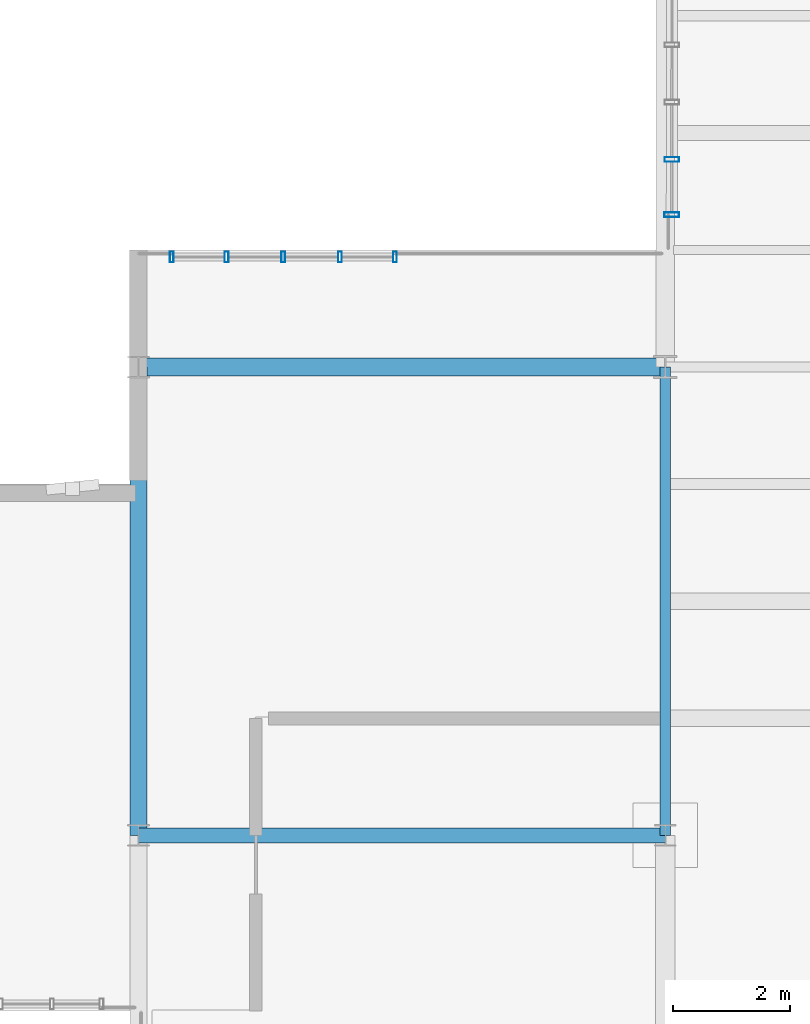
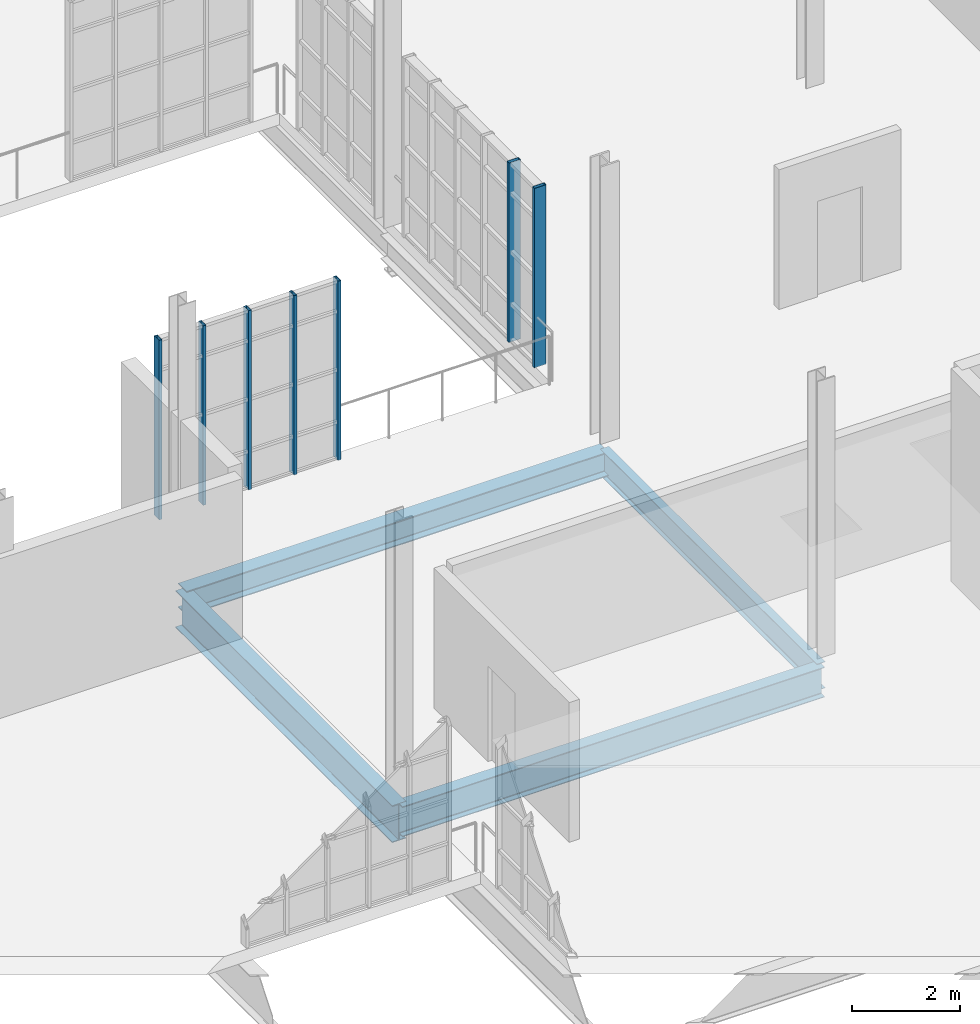
# One storey, part 35 of 118: 7 members, 4 beams, 2 elements without a shape of their own.
"""IFC4 building model written with IfcOpenShell, lengths in metres."""

from ifc_helpers import new_model, si_unit, direction, frame, origin, origin_2d, place, context, subcontext, project, spatial, hollow_rectangle, i_section, extrude, material, layer, layer_set, material_profile, profile_set, type_object, element, aggregate, save


model = new_model("IFC4")

# Units and contexts
model_context = context("Model", 3, precision=1e-05, world=origin(), true_north=direction((0.0, 1.0)))
body_context = subcontext(model_context, "Body", "Model", "MODEL_VIEW")
ifc_project = project(units=[si_unit("LENGTHUNIT", "METRE"), si_unit("AREAUNIT", "SQUARE_METRE"), si_unit("VOLUMEUNIT", "CUBIC_METRE"), si_unit("PLANEANGLEUNIT", "RADIAN"), si_unit("MASSUNIT", "GRAM", prefix="KILO"), si_unit("THERMODYNAMICTEMPERATUREUNIT", "KELVIN"), si_unit("POWERUNIT", "WATT")], contexts=[model_context])

# Site, building, storey
site_placement = place(None, origin())
site = spatial("IfcSite", under=ifc_project, at=site_placement, CompositionType="ELEMENT")
building_placement = place(site_placement, origin())
building = spatial("IfcBuilding", under=site, at=building_placement, Name="Zelmaris Science Centre", CompositionType="ELEMENT")
storey_placement = place(building_placement, frame((0.0, 0.0, 15.60009765625)))
storey = spatial("IfcBuildingStorey", under=building, at=storey_placement, Name="L03", CompositionType="ELEMENT", Elevation=15.60009765625)

# Curtain wall, members
ifc_material_1 = material(Name="Anodised architectural aluminium 6063-T6", Category="aluminium")
ifc_layer_1 = layer(ifc_material_1, 0.2099609375, Name="Anodised architectural aluminium 6063-T6")
ifc_layer_set_1 = layer_set([ifc_layer_1], Name="Anodised architectural aluminium 6063-T6")
curtain_wall_type_1 = type_object("IfcCurtainWallType", Name="Curtain Wall CW-03", PredefinedType="USERDEFINED", material=ifc_layer_set_1)
curtain_wall_1_placement = place(storey_placement, origin())
curtain_wall_1 = element("IfcCurtainWall", 1, at=curtain_wall_1_placement, inside=storey, type_object=curtain_wall_type_1, Name="L03 Unitised curtain wall 323", ObjectType="GLAZED CURTAIN WALL", PredefinedType="USERDEFINED")
ifc_material_profile_1 = material_profile(ifc_material_1, hollow_rectangle(XDim=0.06494140625, YDim=0.179931640625, WallThickness=0.00390625, at=origin_2d()), Name="ALU-MUL-65X180")
ifc_profile_set_1 = profile_set([ifc_material_profile_1], Name="Anodised architectural aluminium 6063-T6")
member_type_1 = type_object("IfcMemberType", Name="ALU-MUL-65X180", PredefinedType="MULLION", material=ifc_profile_set_1)
member_1_placement = place(storey_placement, frame((108.568603515625, 33.8798828125, -0.01513671875), z_axis=(0.0, 0.0, 1.0), x_axis=(0.999999999976, 6.981317e-06, 0.0)))
member_1 = element("IfcMember", 2, at=member_1_placement, type_object=member_type_1, Name="CW-03 mullion 1", PredefinedType="MULLION", context=body_context, shape_type="SweptSolid", body=[
    extrude(hollow_rectangle(XDim=0.06494140625, YDim=0.179931640625, WallThickness=0.00390625, at=origin_2d()), origin(), (0.0, 0.0, 1.0), 4.044921875),
])
member_2_placement = place(storey_placement, frame((109.507568359375, 33.8798828125, -0.01513671875), z_axis=(0.0, 0.0, 1.0), x_axis=(0.999999999976, 6.981317e-06, 0.0)))
member_2 = element("IfcMember", 3, at=member_2_placement, type_object=member_type_1, Name="CW-03 mullion 2", PredefinedType="MULLION", context=body_context, shape_type="SweptSolid", body=[
    extrude(hollow_rectangle(XDim=0.06494140625, YDim=0.179931640625, WallThickness=0.00390625, at=origin_2d()), origin(), (0.0, 0.0, 1.0), 4.044921875),
])
member_3_placement = place(storey_placement, frame((110.47509765625, 33.8798828125, -0.01513671875), z_axis=(0.0, 0.0, 1.0), x_axis=(0.999999999976, 6.981317e-06, 0.0)))
member_3 = element("IfcMember", 4, at=member_3_placement, type_object=member_type_1, Name="CW-03 mullion 3", PredefinedType="MULLION", context=body_context, shape_type="SweptSolid", body=[
    extrude(hollow_rectangle(XDim=0.06494140625, YDim=0.179931640625, WallThickness=0.00390625, at=origin_2d()), origin(), (0.0, 0.0, 1.0), 4.044921875),
])
member_4_placement = place(storey_placement, frame((111.442626953125, 33.8798828125, -0.01513671875), z_axis=(0.0, 0.0, 1.0), x_axis=(0.999999999976, 6.981317e-06, 0.0)))
member_4 = element("IfcMember", 5, at=member_4_placement, type_object=member_type_1, Name="CW-03 mullion 4", PredefinedType="MULLION", context=body_context, shape_type="SweptSolid", body=[
    extrude(hollow_rectangle(XDim=0.06494140625, YDim=0.179931640625, WallThickness=0.00390625, at=origin_2d()), origin(), (0.0, 0.0, 1.0), 4.044921875),
])
member_5_placement = place(storey_placement, frame((112.381591796875, 33.8798828125, -0.01513671875), z_axis=(0.0, 0.0, 1.0), x_axis=(0.999999999976, 6.981317e-06, 0.0)))
member_5 = element("IfcMember", 6, at=member_5_placement, type_object=member_type_1, Name="CW-03 mullion 5", PredefinedType="MULLION", context=body_context, shape_type="SweptSolid", body=[
    extrude(hollow_rectangle(XDim=0.06494140625, YDim=0.179931640625, WallThickness=0.00390625, at=origin_2d()), origin(), (0.0, 0.0, 1.0), 4.044921875),
])
aggregate(curtain_wall_1, [member_1, member_2, member_3, member_4, member_5])

ifc_layer_2 = layer(ifc_material_1, 0.18994140625, Name="Anodised architectural aluminium 6063-T6")
ifc_layer_set_2 = layer_set([ifc_layer_2], Name="Anodised architectural aluminium 6063-T6")
curtain_wall_type_2 = type_object("IfcCurtainWallType", Name="Curtain Wall CW-01", PredefinedType="USERDEFINED", material=ifc_layer_set_2)
curtain_wall_2_placement = place(storey_placement, origin())
curtain_wall_2 = element("IfcCurtainWall", 7, at=curtain_wall_2_placement, inside=storey, type_object=curtain_wall_type_2, Name="L03 Unitised curtain wall 325", ObjectType="GLAZED CURTAIN WALL", PredefinedType="USERDEFINED")
ifc_material_profile_2 = material_profile(ifc_material_1, hollow_rectangle(XDim=0.080078125, YDim=0.25, WallThickness=0.0048828125, at=origin_2d()), Name="ALU-MUL-80X250")
ifc_profile_set_2 = profile_set([ifc_material_profile_2], Name="Anodised architectural aluminium 6063-T6")
member_type_2 = type_object("IfcMemberType", Name="ALU-MUL-80X250", PredefinedType="MULLION", material=ifc_profile_set_2)
member_6_placement = place(storey_placement, frame((117.1103515625, 34.6025390625, -0.01513671875), z_axis=(0.0, 0.0, 1.0), x_axis=(0.001019272107, 0.999999480542, 0.0)))
member_6 = element("IfcMember", 8, at=member_6_placement, type_object=member_type_2, Name="CW-01 mullion 1", PredefinedType="MULLION", context=body_context, shape_type="SweptSolid", body=[
    extrude(hollow_rectangle(XDim=0.080078125, YDim=0.25, WallThickness=0.0048828125, at=origin_2d()), origin(), (0.0, 0.0, 1.0), 4.044921875),
])
member_7_placement = place(storey_placement, frame((117.111328125, 35.545166015625, -0.01513671875), z_axis=(0.0, 0.0, 1.0), x_axis=(0.001019272107, 0.999999480542, 0.0)))
member_7 = element("IfcMember", 9, at=member_7_placement, type_object=member_type_2, Name="CW-01 mullion 2", PredefinedType="MULLION", context=body_context, shape_type="SweptSolid", body=[
    extrude(hollow_rectangle(XDim=0.080078125, YDim=0.25, WallThickness=0.0048828125, at=origin_2d()), origin(), (0.0, 0.0, 1.0), 4.044921875),
])
aggregate(curtain_wall_2, [member_6, member_7])

# Beams
ifc_material_2 = material(Name="Steel ASTM A992 Grade 50", Category="steel")
ifc_material_profile_3 = material_profile(ifc_material_2, i_section(OverallWidth=0.2919921875, OverallDepth=0.8359375, WebThickness=0.013916015625, FlangeThickness=0.018798828125, FilletRadius=0.02001953125, at=origin_2d()), Name="W33X118")
ifc_profile_set_3 = profile_set([ifc_material_profile_3], Name="Steel ASTM A992 Grade 50")
beam_type_1 = type_object("IfcBeamType", Name="Beam G-30 W33X118", PredefinedType="BEAM", material=ifc_profile_set_3)
beam_1_placement = place(storey_placement, frame((108.0, 24.0, -0.697998046875), z_axis=(0.0, 1.0, 0.0), x_axis=(-1.0, 0.0, 0.0)))
element("IfcBeam", 10, at=beam_1_placement, inside=storey, type_object=beam_type_1, Name="L03 North-south girder 701", PredefinedType="BEAM", context=body_context, shape_type="SweptSolid", body=[
    extrude(i_section(OverallWidth=0.2919921875, OverallDepth=0.8359375, WebThickness=0.013916015625, FlangeThickness=0.018798828125, FilletRadius=0.02001953125, at=origin_2d()), origin(), (0.0, 0.0, 1.0), 8.0),
])
ifc_material_profile_4 = material_profile(ifc_material_2, i_section(OverallWidth=0.25390625, OverallDepth=0.677978515625, WebThickness=0.01171875, FlangeThickness=0.016357421875, FilletRadius=0.01806640625, at=origin_2d()), Name="W27X84")
ifc_profile_set_4 = profile_set([ifc_material_profile_4], Name="Steel ASTM A992 Grade 50")
beam_type_2 = type_object("IfcBeamType", Name="Beam G-36 W27X84", PredefinedType="BEAM", material=ifc_profile_set_4)
beam_2_placement = place(storey_placement, frame((108.0, 24.0, -0.619140625), z_axis=(1.0, 0.0, 0.0), x_axis=(0.0, 1.0, 0.0)))
element("IfcBeam", 11, at=beam_2_placement, inside=storey, type_object=beam_type_2, Name="L03 East-west girder 738", PredefinedType="BEAM", context=body_context, shape_type="SweptSolid", body=[
    extrude(i_section(OverallWidth=0.25390625, OverallDepth=0.677978515625, WebThickness=0.01171875, FlangeThickness=0.016357421875, FilletRadius=0.01806640625, at=origin_2d()), origin(), (0.0, 0.0, 1.0), 9.0),
])
ifc_material_profile_5 = material_profile(ifc_material_2, i_section(OverallWidth=0.177978515625, OverallDepth=0.59912109375, WebThickness=0.010009765625, FlangeThickness=0.0126953125, FilletRadius=0.014892578125, at=origin_2d()), Name="W24X55")
ifc_profile_set_5 = profile_set([ifc_material_profile_5], Name="Steel ASTM A992 Grade 50")
beam_type_3 = type_object("IfcBeamType", Name="Beam G-38 W24X55", PredefinedType="BEAM", material=ifc_profile_set_5)
beam_3_placement = place(storey_placement, frame((117.0, 24.0, -0.5595703125), z_axis=(0.0, 1.0, 0.0), x_axis=(-1.0, 0.0, 0.0)))
element("IfcBeam", 12, at=beam_3_placement, inside=storey, type_object=beam_type_3, Name="L03 North-south girder 709", PredefinedType="BEAM", context=body_context, shape_type="SweptSolid", body=[
    extrude(i_section(OverallWidth=0.177978515625, OverallDepth=0.59912109375, WebThickness=0.010009765625, FlangeThickness=0.0126953125, FilletRadius=0.014892578125, at=origin_2d()), origin(), (0.0, 0.0, 1.0), 8.0),
])
ifc_material_profile_6 = material_profile(ifc_material_2, i_section(OverallWidth=0.31201171875, OverallDepth=0.5458984375, WebThickness=0.013916015625, FlangeThickness=0.022216796875, FilletRadius=0.013916015625, at=origin_2d()), Name="W21X111")
ifc_profile_set_6 = profile_set([ifc_material_profile_6], Name="Steel ASTM A992 Grade 50")
beam_type_4 = type_object("IfcBeamType", Name="Beam G-39 W21X111", PredefinedType="BEAM", material=ifc_profile_set_6)
beam_4_placement = place(storey_placement, frame((108.0, 32.0, -0.533203125), z_axis=(1.0, 0.0, 0.0), x_axis=(0.0, 1.0, 0.0)))
element("IfcBeam", 13, at=beam_4_placement, inside=storey, type_object=beam_type_4, Name="L03 East-west girder 741", PredefinedType="BEAM", context=body_context, shape_type="SweptSolid", body=[
    extrude(i_section(OverallWidth=0.31201171875, OverallDepth=0.5458984375, WebThickness=0.013916015625, FlangeThickness=0.022216796875, FilletRadius=0.013916015625, at=origin_2d()), origin(), (0.0, 0.0, 1.0), 9.0),
])

save(model, "model.ifc")
